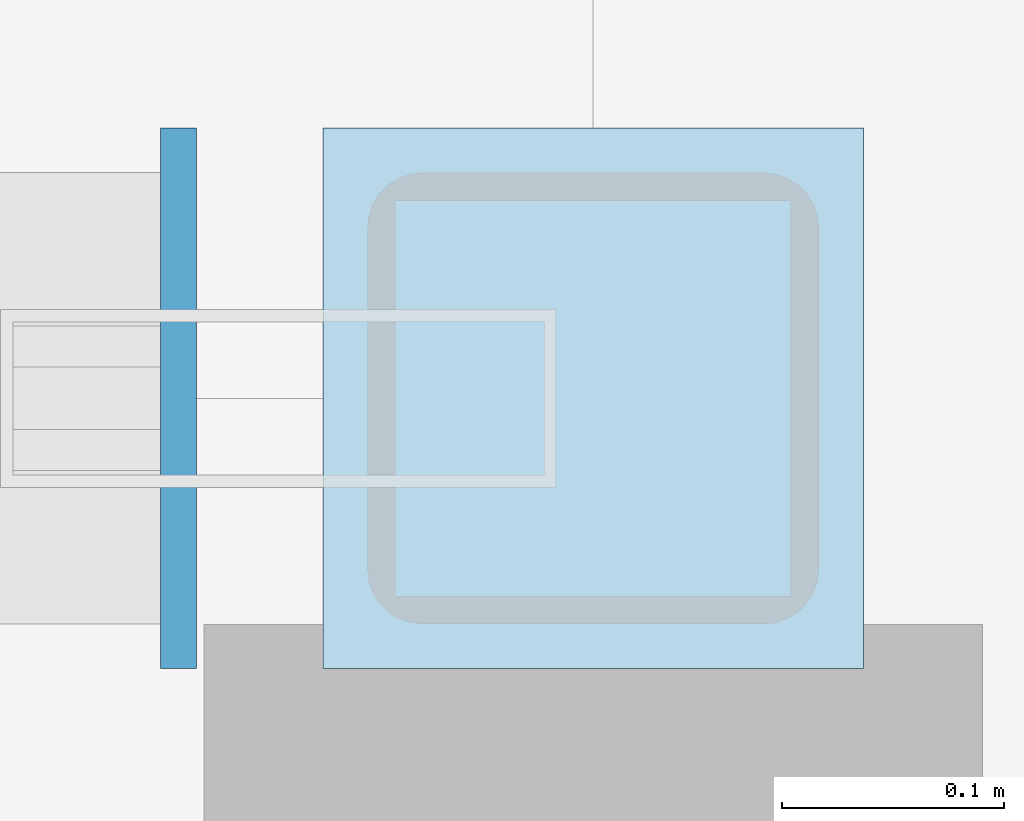
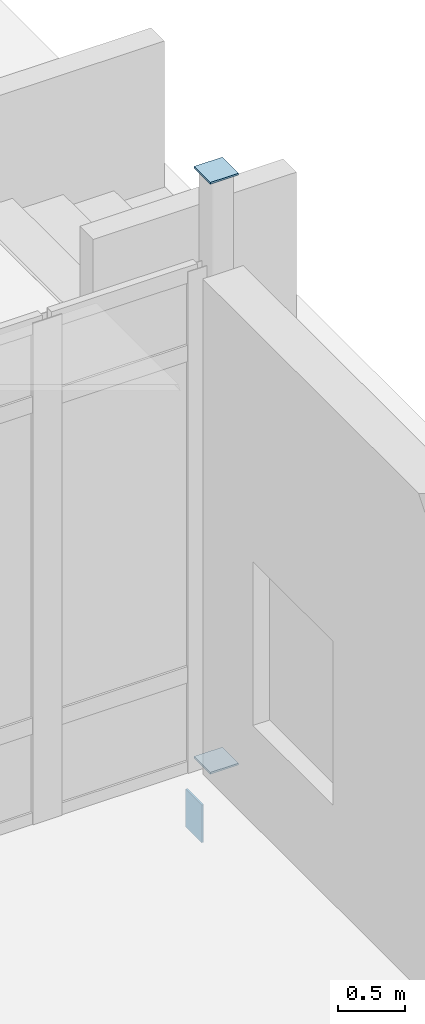
# One storey, part 183 of 229: 3 plates.
"""IFC4 building model written with IfcOpenShell, lengths in metres."""

from ifc_helpers import new_model, si_unit, direction, frame, origin, origin_2d, place, context, subcontext, project, spatial, rectangle, extrude, material, layer, layer_set, type_object, element, save


model = new_model("IFC4")

# Units and contexts
model_context = context("Model", 3, precision=1e-05, world=origin(), true_north=direction((0.0, 1.0)))
body_context = subcontext(model_context, "Body", "Model", "MODEL_VIEW")
ifc_project = project(units=[si_unit("LENGTHUNIT", "METRE"), si_unit("AREAUNIT", "SQUARE_METRE"), si_unit("VOLUMEUNIT", "CUBIC_METRE"), si_unit("PLANEANGLEUNIT", "RADIAN"), si_unit("MASSUNIT", "GRAM", prefix="KILO")], contexts=[model_context])

# Site, building, storey
site_placement = place(None, origin())
site = spatial("IfcSite", under=ifc_project, at=site_placement, CompositionType="ELEMENT")
building_placement = place(site_placement, origin())
building = spatial("IfcBuilding", under=site, at=building_placement, Name="Calvrana Isthmian Art Gallery", CompositionType="ELEMENT")
storey_placement = place(building_placement, origin())
storey = spatial("IfcBuildingStorey", under=building, at=storey_placement, Name="L00", CompositionType="ELEMENT", Elevation=0.0)

# Plates
ifc_material = material(Name="Steel ASTM A572 Gr 50", Category="steel")
ifc_layer = layer(ifc_material, 0.01611328125, Name="Steel ASTM A572 Gr 50")
ifc_layer_set = layer_set([ifc_layer], Name="Steel ASTM A572 Gr 50")
plate_type = type_object("IfcPlateType", Name="PL-CAP-16", PredefinedType="SHEET", material=ifc_layer_set)
for number, where, z_axis, x_axis, name in (
    (1, (163.199951171875, 21.60009765625, -0.008056640625), (0.0, 0.0, 1.0), (1.0, 0.0, 0.0), "Hollow section end cap plate 367"),
    (2, (163.199951171875, 21.60009765625, 5.391845703125), (0.0, 0.0, 1.0), (1.0, 0.0, 0.0), "Hollow section end cap plate 368"),
):
    element("IfcPlate", number, at=place(storey_placement, frame(where, z_axis=z_axis, x_axis=x_axis)), inside=storey, type_object=plate_type, Name=name, PredefinedType="SHEET", context=body_context, shape_type="SweptSolid", body=[
        extrude(rectangle(XDim=0.2431640625, YDim=0.2431640625, at=origin_2d()), origin(), (0.0, 0.0, 1.0), 0.01611328125),
    ])
plate_placement = place(storey_placement, frame((163.013427734375, 21.60009765625, -0.60986328125), z_axis=(0.0, 0.0, 1.0), x_axis=(1.0, 0.0, 0.0)))
element("IfcPlate", 3, at=plate_placement, inside=storey, type_object=plate_type, Name="Hollow section end cap plate 382", PredefinedType="SHEET", context=body_context, shape_type="SweptSolid", body=[
    extrude(rectangle(XDim=0.01611328125, YDim=0.2431640625, at=origin_2d()), origin(), (0.0, 0.0, 1.0), 0.3447265625),
])

save(model, "model.ifc")
